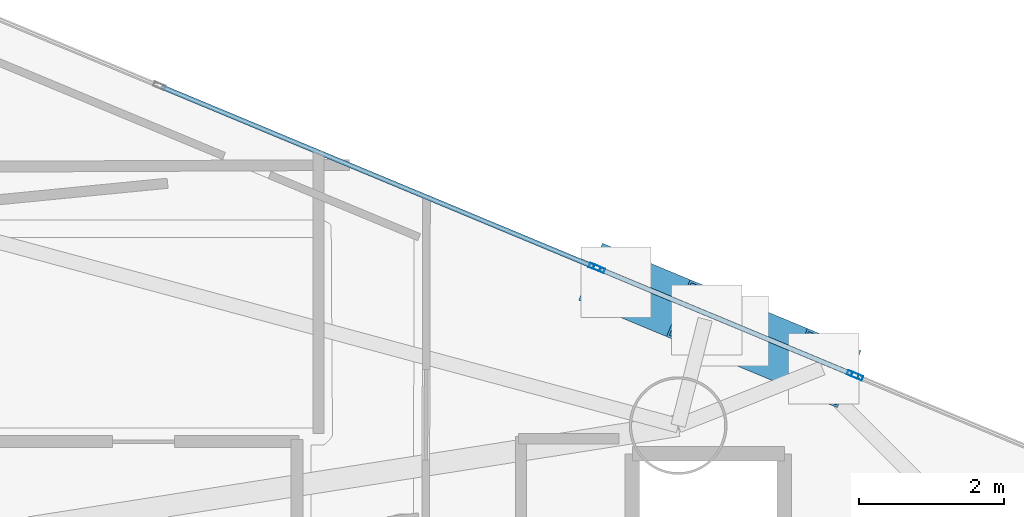
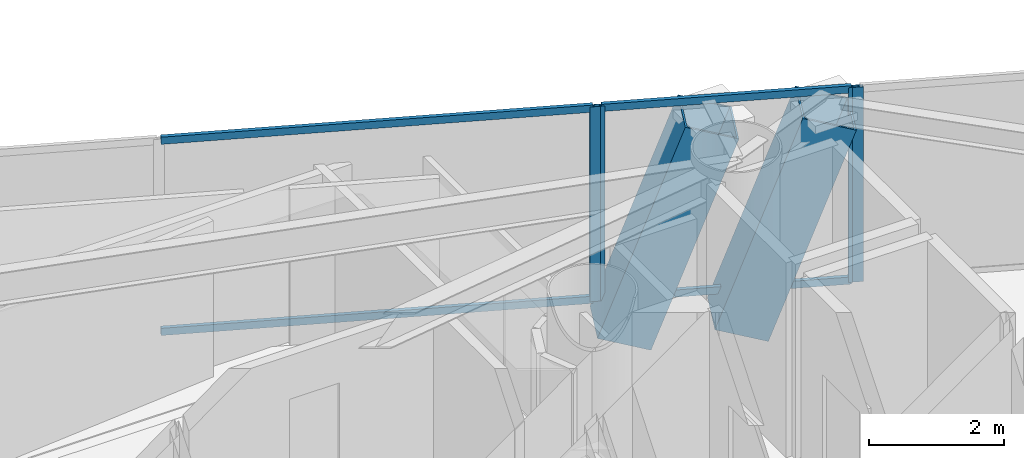
# One storey, part 14 of 23: 10 members, 3 elements without a shape of their own.
"""IFC4 building model written with IfcOpenShell, lengths in metres."""

from ifc_helpers import new_model, si_unit, direction, frame, origin, origin_2d, place, context, subcontext, project, spatial, hollow_rectangle, extrude, material, layer, layer_set, material_profile, profile_set, type_object, element, aggregate, save


model = new_model("IFC4")

# Units and contexts
model_context = context("Model", 3, precision=1e-05, world=origin(), true_north=direction((0.0, 1.0)))
body_context = subcontext(model_context, "Body", "Model", "MODEL_VIEW")
ifc_project = project(units=[si_unit("LENGTHUNIT", "METRE"), si_unit("AREAUNIT", "SQUARE_METRE"), si_unit("VOLUMEUNIT", "CUBIC_METRE"), si_unit("PLANEANGLEUNIT", "RADIAN"), si_unit("MASSUNIT", "GRAM", prefix="KILO")], contexts=[model_context])

# Site, building, storey
site_placement = place(None, origin())
site = spatial("IfcSite", under=ifc_project, at=site_placement, CompositionType="ELEMENT")
building_placement = place(site_placement, origin())
building = spatial("IfcBuilding", under=site, at=building_placement, Name="Qianvela Tower", CompositionType="ELEMENT")
storey_placement = place(building_placement, frame((0.0, 0.0, 162.39990234375)))
storey = spatial("IfcBuildingStorey", under=building, at=storey_placement, Name="L41", CompositionType="ELEMENT", Elevation=162.39990234375)

# Curtain wall, members
ifc_material_1 = material(Name="Anodised Architectural Aluminium and Insulated Spandrel Panel", Category="aluminium")
ifc_layer_1 = layer(ifc_material_1, 0.179931640625)
ifc_layer_set_1 = layer_set([ifc_layer_1], Name="Anodised Architectural Aluminium and Insulated Spandrel Panel")
curtain_wall_type_1 = type_object("IfcCurtainWallType", Name="CW-BRACEBAY", PredefinedType="USERDEFINED", material=ifc_layer_set_1)
curtain_wall_1_placement = place(storey_placement, origin())
curtain_wall_1 = element("IfcCurtainWall", 1, at=curtain_wall_1_placement, inside=storey, type_object=curtain_wall_type_1, Name="L41 CW-BRACEBAY Curtain Wall 02B", ObjectType="CURTAIN_WALL_SYSTEM", PredefinedType="USERDEFINED")
ifc_material_2 = material(Name="Anodised Architectural Aluminium 6063-T6", Category="aluminium")
ifc_material_profile_1 = material_profile(ifc_material_2, hollow_rectangle(XDim=0.06494140625, YDim=0.159912109375, WallThickness=0.0048828125, at=origin_2d()), Name="ALU-MULL-65x160")
ifc_profile_set_1 = profile_set([ifc_material_profile_1], Name="Anodised Architectural Aluminium 6063-T6")
member_type_1 = type_object("IfcMemberType", Name="CW-BRACEBAY-MULL", PredefinedType="MULLION", material=ifc_profile_set_1)
member_1_placement = place(storey_placement, frame((44.494873046875, 36.3759765625, 0.0), z_axis=(0.0, 0.0, 1.0), x_axis=(-0.38419225707, -0.923253112428, 0.0)))
member_1 = element("IfcMember", 2, at=member_1_placement, type_object=member_type_1, Name="CW-9 mullion 1", PredefinedType="MULLION", context=body_context, shape_type="SweptSolid", body=[
    extrude(hollow_rectangle(XDim=0.06494140625, YDim=0.159912109375, WallThickness=0.0048828125, at=origin_2d()), origin(), (0.0, 0.0, 1.0), 3.52001953125),
])
member_2_placement = place(storey_placement, frame((40.990966796875, 37.833984375, 0.0), z_axis=(0.0, 0.0, 1.0), x_axis=(-0.38419225707, -0.923253112428, 0.0)))
member_2 = element("IfcMember", 3, at=member_2_placement, type_object=member_type_1, Name="CW-9 mullion 2", PredefinedType="MULLION", context=body_context, shape_type="SweptSolid", body=[
    extrude(hollow_rectangle(XDim=0.06494140625, YDim=0.159912109375, WallThickness=0.0048828125, at=origin_2d()), origin(), (0.0, 0.0, 1.0), 3.52001953125),
])
ifc_material_3 = material(Name="Anodised Architectural Aluminium 6063-T6", Category="aluminium")
ifc_material_profile_2 = material_profile(ifc_material_3, hollow_rectangle(XDim=0.06494140625, YDim=0.1298828125, WallThickness=0.00439453125, at=origin_2d()), Name="ALU-TRAN-65x130")
ifc_profile_set_2 = profile_set([ifc_material_profile_2], Name="Anodised Architectural Aluminium 6063-T6")
member_type_2 = type_object("IfcMemberType", Name="CW-BRACEBAY-TRAN", PredefinedType="USERDEFINED", material=ifc_profile_set_2)
member_3_placement = place(storey_placement, frame((44.46484375, 36.388427734375, 0.03271484375), z_axis=(-0.923251105993, 0.384197078702, 0.0), x_axis=(-0.384197078702, -0.923251105993, 0.0)))
member_3 = element("IfcMember", 4, at=member_3_placement, type_object=member_type_2, Name="CW-9 transom 1.1", ObjectType="TRANSOM", PredefinedType="USERDEFINED", context=body_context, shape_type="SweptSolid", body=[
    extrude(hollow_rectangle(XDim=0.06494140625, YDim=0.1298828125, WallThickness=0.00439453125, at=origin_2d()), origin(), (0.0, 0.0, 1.0), 3.730224609375),
])
member_4_placement = place(storey_placement, frame((44.46484375, 36.388427734375, 3.487548828125), z_axis=(-0.923251105993, 0.384197078702, 0.0), x_axis=(-0.384197078702, -0.923251105993, 0.0)))
member_4 = element("IfcMember", 5, at=member_4_placement, type_object=member_type_2, Name="CW-9 transom 1.2", ObjectType="TRANSOM", PredefinedType="USERDEFINED", context=body_context, shape_type="SweptSolid", body=[
    extrude(hollow_rectangle(XDim=0.06494140625, YDim=0.1298828125, WallThickness=0.00439453125, at=origin_2d()), origin(), (0.0, 0.0, 1.0), 3.730224609375),
])
aggregate(curtain_wall_1, [member_1, member_2, member_3, member_4])

# Curtain wall, member
ifc_material_4 = material(Name="Anodised Architectural Aluminium and Low-E Glass", Category="aluminium")
ifc_layer_2 = layer(ifc_material_4, 0.169921875)
ifc_layer_set_2 = layer_set([ifc_layer_2], Name="Anodised Architectural Aluminium and Low-E Glass")
curtain_wall_type_2 = type_object("IfcCurtainWallType", Name="CW-COLIV-Z34", PredefinedType="USERDEFINED", material=ifc_layer_set_2)
curtain_wall_2_placement = place(storey_placement, origin())
curtain_wall_2 = element("IfcCurtainWall", 6, at=curtain_wall_2_placement, inside=storey, type_object=curtain_wall_type_2, Name="L41 CW-COLIV-Z34 Curtain Wall 02A", ObjectType="CURTAIN_WALL_SYSTEM", PredefinedType="USERDEFINED")
ifc_material_5 = material(Name="Anodised Architectural Aluminium 6063-T6", Category="aluminium")
ifc_material_profile_3 = material_profile(ifc_material_5, hollow_rectangle(XDim=0.06494140625, YDim=0.159912109375, WallThickness=0.0048828125, at=origin_2d()), Name="ALU-MULL-65x160")
ifc_profile_set_3 = profile_set([ifc_material_profile_3], Name="Anodised Architectural Aluminium 6063-T6")
member_type_3 = type_object("IfcMemberType", Name="CW-COLIV-Z34-MULL", PredefinedType="MULLION", material=ifc_profile_set_3)
member_5_placement = place(storey_placement, frame((44.5546875, 36.350830078125, 0.0), z_axis=(0.0, 0.0, 1.0), x_axis=(-0.384185162633, -0.923256064596, 0.0)))
member_5 = element("IfcMember", 7, at=member_5_placement, type_object=member_type_3, Name="CW-4 mullion 3", PredefinedType="MULLION", context=body_context, shape_type="SweptSolid", body=[
    extrude(hollow_rectangle(XDim=0.06494140625, YDim=0.159912109375, WallThickness=0.0048828125, at=origin_2d()), origin(), (0.0, 0.0, 1.0), 3.52001953125),
])
aggregate(curtain_wall_2, [member_5])

# Curtain wall, members
curtain_wall_3_placement = place(storey_placement, origin())
curtain_wall_3 = element("IfcCurtainWall", 8, at=curtain_wall_3_placement, inside=storey, type_object=curtain_wall_type_2, Name="L41 CW-COLIV-Z34 Curtain Wall 02C", ObjectType="CURTAIN_WALL_SYSTEM", PredefinedType="USERDEFINED")
member_6_placement = place(storey_placement, frame((40.930908203125, 37.85888671875, 0.0), z_axis=(0.0, 0.0, 1.0), x_axis=(-0.3841819173, -0.923257415037, 0.0)))
member_6 = element("IfcMember", 9, at=member_6_placement, type_object=member_type_3, Name="CW-4 mullion 1", PredefinedType="MULLION", context=body_context, shape_type="SweptSolid", body=[
    extrude(hollow_rectangle(XDim=0.06494140625, YDim=0.159912109375, WallThickness=0.0048828125, at=origin_2d()), origin(), (0.0, 0.0, 1.0), 3.52001953125),
])
ifc_material_6 = material(Name="Anodised Architectural Aluminium 6063-T6", Category="aluminium")
ifc_material_profile_4 = material_profile(ifc_material_6, hollow_rectangle(XDim=0.06494140625, YDim=0.1298828125, WallThickness=0.00439453125, at=origin_2d()), Name="ALU-TRAN-65x130")
ifc_profile_set_4 = profile_set([ifc_material_profile_4], Name="Anodised Architectural Aluminium 6063-T6")
member_type_4 = type_object("IfcMemberType", Name="CW-COLIV-Z34-TRAN", PredefinedType="USERDEFINED", material=ifc_profile_set_4)
member_7_placement = place(storey_placement, frame((40.90087890625, 37.871337890625, 0.03271484375), z_axis=(-0.923248243596, 0.38420395716, 0.0), x_axis=(-0.38420395716, -0.923248243596, 0.0)))
member_7 = element("IfcMember", 10, at=member_7_placement, type_object=member_type_4, Name="CW-4 transom 1.1", ObjectType="TRANSOM", PredefinedType="USERDEFINED", context=body_context, shape_type="SweptSolid", body=[
    extrude(hollow_rectangle(XDim=0.06494140625, YDim=0.1298828125, WallThickness=0.00439453125, at=origin_2d()), origin(), (0.0, 0.0, 1.0), 6.447265625),
])
member_8_placement = place(storey_placement, frame((40.90087890625, 37.871337890625, 3.487548828125), z_axis=(-0.923248243596, 0.38420395716, 0.0), x_axis=(-0.38420395716, -0.923248243596, 0.0)))
member_8 = element("IfcMember", 11, at=member_8_placement, type_object=member_type_4, Name="CW-4 transom 1.2", ObjectType="TRANSOM", PredefinedType="USERDEFINED", context=body_context, shape_type="SweptSolid", body=[
    extrude(hollow_rectangle(XDim=0.06494140625, YDim=0.1298828125, WallThickness=0.00439453125, at=origin_2d()), origin(), (0.0, 0.0, 1.0), 6.447265625),
])
aggregate(curtain_wall_3, [member_6, member_7, member_8])

# Members
ifc_material_7 = material(Name="Steel Q420GJC", Category="steel")
ifc_material_profile_5 = material_profile(ifc_material_7, hollow_rectangle(XDim=0.85009765625, YDim=0.85009765625, WallThickness=0.031982421875, at=origin_2d()), Name="MBOX-850x850x32")
ifc_profile_set_5 = profile_set([ifc_material_profile_5], Name="Steel Q420GJC")
member_type_5 = type_object("IfcMemberType", Name="MBR-MBRACE-850", PredefinedType="BRACE", material=ifc_profile_set_5)
for number, where, z_axis, x_axis, name in (
    (12, (42.862060546875, 36.968505859375, -0.48193359375), (0.308698620353, -0.128417133568, 0.942451166691), (0.384087041674, 0.923296888557, 0.0), "L41 Tier 7 Exterior Mega-Brace F1A"),
    (13, (41.243896484375, 37.641845703125, -0.48193359375), (0.308698620353, -0.128417133568, 0.942451166691), (0.384087041674, 0.923296888557, 0.0), "L41 Tier 7 Exterior Mega-Brace F1B"),
):
    element("IfcMember", number, at=place(storey_placement, frame(where, z_axis=z_axis, x_axis=x_axis)), inside=storey, type_object=member_type_5, Name=name, PredefinedType="BRACE", context=body_context, shape_type="SweptSolid", body=[
        extrude(hollow_rectangle(XDim=0.85009765625, YDim=0.85009765625, WallThickness=0.031982421875, at=origin_2d()), origin(), (0.0, 0.0, 1.0), 3.92578125),
    ])

save(model, "model.ifc")
